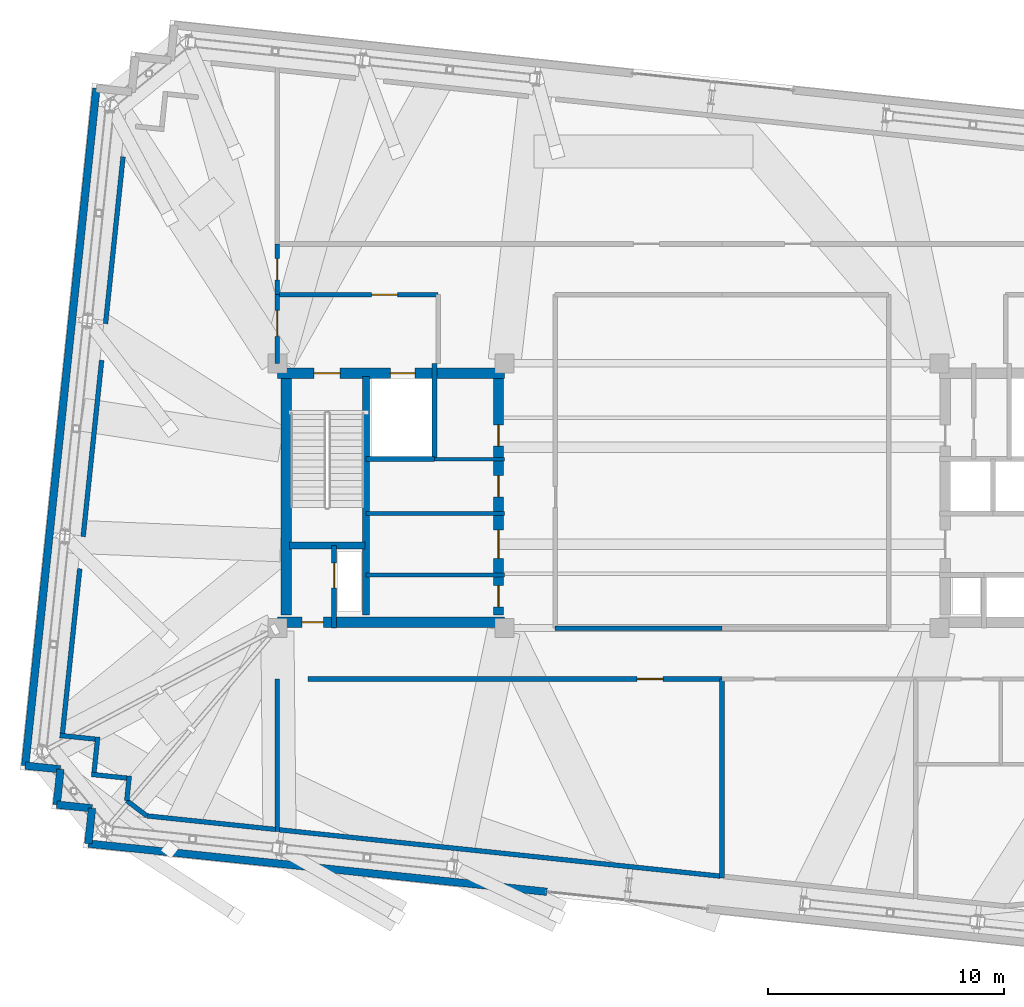
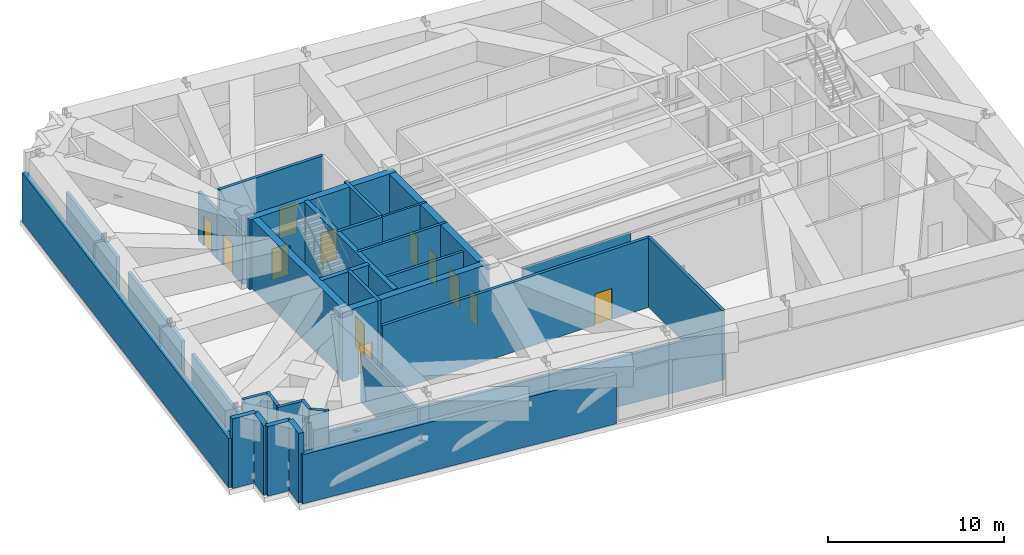
# One storey, part 16 of 21: 35 walls, 12 doors, 12 openings.
"""IFC4 building model written with IfcOpenShell, lengths in metres."""

from ifc_helpers import new_model, si_unit, direction, frame, frame_2d, origin, place, context, subcontext, project, spatial, rectangle, extrude, material, layer, layer_set, type_object, element, fill, save


model = new_model("IFC4")

# Units and contexts
model_context = context("Model", 3, precision=1e-05, world=origin(), true_north=direction((0.0, 1.0)))
body_context = subcontext(model_context, "Body", "Model", "MODEL_VIEW")
ifc_project = project(units=[si_unit("LENGTHUNIT", "METRE"), si_unit("AREAUNIT", "SQUARE_METRE"), si_unit("VOLUMEUNIT", "CUBIC_METRE"), si_unit("PLANEANGLEUNIT", "RADIAN"), si_unit("MASSUNIT", "GRAM", prefix="KILO")], contexts=[model_context])

# Site, building, storey
site_placement = place(None, origin())
site = spatial("IfcSite", under=ifc_project, at=site_placement, CompositionType="ELEMENT")
building_placement = place(site_placement, origin())
building = spatial("IfcBuilding", under=site, at=building_placement, Name="Qobustan Lattice House", CompositionType="ELEMENT")
storey_placement = place(building_placement, frame((0.0, 0.0, 223.199951171875)))
storey = spatial("IfcBuildingStorey", under=building, at=storey_placement, Name="L63", CompositionType="ELEMENT", Elevation=223.199951171875)

# Wall, openings, doors
ifc_material_1 = material(Name="Concrete C50/60", Category="concrete")
ifc_layer_1 = layer(ifc_material_1, 0.43994140625)
ifc_layer_set_1 = layer_set([ifc_layer_1], Name="Concrete C50/60")
wall_type_1 = type_object("IfcWallType", Name="WAL-CORE-440", PredefinedType="SHEAR", material=ifc_layer_set_1)
wall_1_placement = place(storey_placement, frame((-18.800048828125, 5.179931640625, 0.0), z_axis=(0.0, 0.0, 1.0), x_axis=(1.0, 0.0, 0.0)))
wall_1 = element("IfcWall", 1, at=wall_1_placement, inside=storey, type_object=wall_type_1, Name="L63 split-core shear wall CW-N", PredefinedType="SHEAR", context=body_context, shape_type="SweptSolid", body=[
    extrude(rectangle(XDim=9.60009765625, YDim=0.43994140625, at=frame_2d((4.800048828125, 0.0))), origin(), (0.0, 0.0, 1.0), 4.820068359375),
])
opening_1_placement = place(wall_1_placement, frame((1.550048828125, 0.0, 0.0)))
opening_1 = element("IfcOpeningElement", 2, at=opening_1_placement, cuts=wall_1, Name="Opening SD-01", PredefinedType="OPENING", context=body_context, shape_type="SweptSolid", body=[
    extrude(rectangle(XDim=1.10009765625, YDim=2.14990234375, at=frame_2d((0.550048828125, 1.074951171875))), frame((0.0, 0.22998046875, 0.0), z_axis=(0.0, -1.0, 0.0), x_axis=(1.0, 0.0, 0.0)), (0.0, 0.0, 1.0), 0.4599609375),
])
opening_2_placement = place(wall_1_placement, frame((4.77490234375, 0.0, 0.0)))
opening_2 = element("IfcOpeningElement", 3, at=opening_2_placement, cuts=wall_1, Name="Opening LD-01", PredefinedType="OPENING", context=body_context, shape_type="SweptSolid", body=[
    extrude(rectangle(XDim=1.050048828125, YDim=2.10009765625, at=frame_2d((0.52490234375, 1.050048828125))), frame((0.0, 0.22998046875, 0.0), z_axis=(0.0, -1.0, 0.0), x_axis=(1.0, 0.0, 0.0)), (0.0, 0.0, 1.0), 0.4599609375),
])
ifc_material_2 = material(Name="Persian walnut timber and steel frame door", Category="steel")
door_type_1 = type_object("IfcDoorType", Name="DOR-LIFT-LD-1050x2100", OperationType="NOTDEFINED", PredefinedType="DOOR", material=ifc_material_2)
door_1_placement = place(opening_2_placement, origin())
door_1 = element("IfcDoor", 4, at=door_1_placement, inside=storey, type_object=door_type_1, Name="L63 firefighting lift FF-W landing door", OperationType="DOUBLE_DOOR_SLIDING", OverallHeight=2.10009765625, OverallWidth=1.050048828125, PredefinedType="DOOR", context=body_context, shape_type="SweptSolid", body=[
    extrude(rectangle(XDim=1.050048828125, YDim=2.10009765625, at=frame_2d((0.52490234375, 1.050048828125))), frame((0.0, 0.02490234375, 0.0), z_axis=(0.0, -1.0, 0.0), x_axis=(1.0, 0.0, 0.0)), (0.0, 0.0, 1.0), 0.050048828125),
])
fill(opening_2, door_1)
ifc_material_3 = material(Name="Persian walnut timber and steel frame door", Category="steel")
door_type_2 = type_object("IfcDoorType", Name="DOR-STAIR-FD-1100x2150", OperationType="NOTDEFINED", PredefinedType="DOOR", material=ifc_material_3)
door_2_placement = place(opening_1_placement, origin())
door_2 = element("IfcDoor", 5, at=door_2_placement, inside=storey, type_object=door_type_2, Name="L63 exit stair ST-W1 fire door", OperationType="SINGLE_SWING_LEFT", OverallHeight=2.14990234375, OverallWidth=1.10009765625, PredefinedType="DOOR", context=body_context, shape_type="SweptSolid", body=[
    extrude(rectangle(XDim=1.10009765625, YDim=2.14990234375, at=frame_2d((0.550048828125, 1.074951171875))), frame((0.0, 0.02490234375, 0.0), z_axis=(0.0, -1.0, 0.0), x_axis=(1.0, 0.0, 0.0)), (0.0, 0.0, 1.0), 0.050048828125),
])
fill(opening_1, door_2)

# Wall, opening, door
wall_2_placement = place(storey_placement, frame((-18.800048828125, -5.35009765625, 0.0), z_axis=(0.0, 0.0, 1.0), x_axis=(1.0, 0.0, 0.0)))
wall_2 = element("IfcWall", 6, at=wall_2_placement, inside=storey, type_object=wall_type_1, Name="L63 split-core shear wall CW-S", PredefinedType="SHEAR", context=body_context, shape_type="SweptSolid", body=[
    extrude(rectangle(XDim=9.60009765625, YDim=0.43994140625, at=frame_2d((4.800048828125, 0.0))), origin(), (0.0, 0.0, 1.0), 4.820068359375),
])
opening_3_placement = place(wall_2_placement, frame((1.050048828125, 0.0, 0.0)))
opening_3 = element("IfcOpeningElement", 7, at=opening_3_placement, cuts=wall_2, Name="Opening RD-01", PredefinedType="OPENING", context=body_context, shape_type="SweptSolid", body=[
    extrude(rectangle(XDim=0.89990234375, YDim=2.10009765625, at=frame_2d((0.449951171875, 1.050048828125))), frame((0.0, 0.22998046875, 0.0), z_axis=(0.0, -1.0, 0.0), x_axis=(1.0, 0.0, 0.0)), (0.0, 0.0, 1.0), 0.4599609375),
])
ifc_material_4 = material(Name="Persian walnut timber and steel frame door", Category="steel")
door_type_3 = type_object("IfcDoorType", Name="DOR-RISER-FD-900x2100", OperationType="NOTDEFINED", PredefinedType="DOOR", material=ifc_material_4)
door_3_placement = place(opening_3_placement, origin())
door_3 = element("IfcDoor", 8, at=door_3_placement, inside=storey, type_object=door_type_3, Name="L63 core service riser access door W", OperationType="SINGLE_SWING_LEFT", OverallHeight=2.10009765625, OverallWidth=0.89990234375, PredefinedType="DOOR", context=body_context, shape_type="SweptSolid", body=[
    extrude(rectangle(XDim=0.89990234375, YDim=2.10009765625, at=frame_2d((0.449951171875, 1.050048828125))), frame((0.0, 0.02490234375, 0.0), z_axis=(0.0, -1.0, 0.0), x_axis=(1.0, 0.0, 0.0)), (0.0, 0.0, 1.0), 0.050048828125),
])
fill(opening_3, door_3)

# Wall
wall_3_placement = place(storey_placement, frame((-18.429931640625, -5.050048828125, 0.0), z_axis=(0.0, 0.0, 1.0), x_axis=(0.0, 1.0, 0.0)))
element("IfcWall", 9, at=wall_3_placement, inside=storey, type_object=wall_type_1, Name="L63 split-core shear wall CW-W", PredefinedType="SHEAR", context=body_context, shape_type="SweptSolid", body=[
    extrude(rectangle(XDim=10.10009765625, YDim=0.43994140625, at=frame_2d((5.050048828125, 0.0))), origin(), (0.0, 0.0, 1.0), 4.820068359375),
])

# Wall, openings, doors
wall_4_placement = place(storey_placement, frame((-9.449951171875, -5.050048828125, 0.0), z_axis=(0.0, 0.0, 1.0), x_axis=(0.0, 1.0, 0.0)))
wall_4 = element("IfcWall", 10, at=wall_4_placement, inside=storey, type_object=wall_type_1, Name="L63 split-core shear wall CW-E", PredefinedType="SHEAR", context=body_context, shape_type="SweptSolid", body=[
    extrude(rectangle(XDim=10.10009765625, YDim=0.43994140625, at=frame_2d((5.050048828125, 0.0))), origin(), (0.0, 0.0, 1.0), 4.820068359375),
])
opening_4_placement = place(wall_4_placement, frame((7.14990234375, 0.0, 0.0)))
opening_4 = element("IfcOpeningElement", 11, at=opening_4_placement, cuts=wall_4, Name="Opening RD-01", PredefinedType="OPENING", context=body_context, shape_type="SweptSolid", body=[
    extrude(rectangle(XDim=0.89990234375, YDim=2.10009765625, at=frame_2d((0.449951171875, 1.050048828125))), frame((0.0, 0.22998046875, 0.0), z_axis=(0.0, -1.0, 0.0), x_axis=(1.0, 0.0, 0.0)), (0.0, 0.0, 1.0), 0.4599609375),
])
opening_5_placement = place(wall_4_placement, frame((2.39990234375, 0.0, 0.0)))
opening_5 = element("IfcOpeningElement", 12, at=opening_5_placement, cuts=wall_4, Name="Opening FD-01", PredefinedType="OPENING", context=body_context, shape_type="SweptSolid", body=[
    extrude(rectangle(XDim=1.199951171875, YDim=2.14990234375, at=frame_2d((0.60009765625, 1.074951171875))), frame((0.0, 0.22998046875, 0.0), z_axis=(0.0, -1.0, 0.0), x_axis=(1.0, 0.0, 0.0)), (0.0, 0.0, 1.0), 0.4599609375),
])
opening_6_placement = place(wall_4_placement, frame((0.35009765625, 0.0, 0.0)))
opening_6 = element("IfcOpeningElement", 13, at=opening_6_placement, cuts=wall_4, Name="Opening RD-01", PredefinedType="OPENING", context=body_context, shape_type="SweptSolid", body=[
    extrude(rectangle(XDim=0.89990234375, YDim=2.10009765625, at=frame_2d((0.449951171875, 1.050048828125))), frame((0.0, 0.22998046875, 0.0), z_axis=(0.0, -1.0, 0.0), x_axis=(1.0, 0.0, 0.0)), (0.0, 0.0, 1.0), 0.4599609375),
])
opening_7_placement = place(wall_4_placement, frame((5.0, 0.0, 0.0)))
opening_7 = element("IfcOpeningElement", 14, at=opening_7_placement, cuts=wall_4, Name="Opening RD-01", PredefinedType="OPENING", context=body_context, shape_type="SweptSolid", body=[
    extrude(rectangle(XDim=0.89990234375, YDim=2.10009765625, at=frame_2d((0.449951171875, 1.050048828125))), frame((0.0, 0.22998046875, 0.0), z_axis=(0.0, -1.0, 0.0), x_axis=(1.0, 0.0, 0.0)), (0.0, 0.0, 1.0), 0.4599609375),
])
ifc_material_5 = material(Name="Persian walnut timber and steel frame door", Category="steel")
door_type_4 = type_object("IfcDoorType", Name="DOR-LOBBY-FD-1200x2150", OperationType="NOTDEFINED", PredefinedType="DOOR", material=ifc_material_5)
door_4_placement = place(opening_5_placement, origin())
door_4 = element("IfcDoor", 15, at=door_4_placement, inside=storey, type_object=door_type_4, Name="L63 West core foyer fire door", OperationType="SINGLE_SWING_RIGHT", OverallHeight=2.14990234375, OverallWidth=1.199951171875, PredefinedType="DOOR", context=body_context, shape_type="SweptSolid", body=[
    extrude(rectangle(XDim=1.199951171875, YDim=2.14990234375, at=frame_2d((0.60009765625, 1.074951171875))), frame((0.0, 0.02490234375, 0.0), z_axis=(0.0, -1.0, 0.0), x_axis=(1.0, 0.0, 0.0)), (0.0, 0.0, 1.0), 0.050048828125),
])
fill(opening_5, door_4)
door_5_placement = place(opening_4_placement, origin())
door_5 = element("IfcDoor", 16, at=door_5_placement, inside=storey, type_object=door_type_3, Name="L63 Floor tea pantry fire door", OperationType="SINGLE_SWING_LEFT", OverallHeight=2.10009765625, OverallWidth=0.89990234375, PredefinedType="DOOR", context=body_context, shape_type="SweptSolid", body=[
    extrude(rectangle(XDim=0.89990234375, YDim=2.10009765625, at=frame_2d((0.449951171875, 1.050048828125))), frame((0.0, 0.02490234375, 0.0), z_axis=(0.0, -1.0, 0.0), x_axis=(1.0, 0.0, 0.0)), (0.0, 0.0, 1.0), 0.050048828125),
])
fill(opening_4, door_5)
door_6_placement = place(opening_6_placement, origin())
door_6 = element("IfcDoor", 17, at=door_6_placement, inside=storey, type_object=door_type_3, Name="L63 Tutorial seminar salon fire door", OperationType="SINGLE_SWING_LEFT", OverallHeight=2.10009765625, OverallWidth=0.89990234375, PredefinedType="DOOR", context=body_context, shape_type="SweptSolid", body=[
    extrude(rectangle(XDim=0.89990234375, YDim=2.10009765625, at=frame_2d((0.449951171875, 1.050048828125))), frame((0.0, 0.02490234375, 0.0), z_axis=(0.0, -1.0, 0.0), x_axis=(1.0, 0.0, 0.0)), (0.0, 0.0, 1.0), 0.050048828125),
])
fill(opening_6, door_6)
door_7_placement = place(opening_7_placement, origin())
door_7 = element("IfcDoor", 18, at=door_7_placement, inside=storey, type_object=door_type_3, Name="L63 Copy and tea hub fire door", OperationType="SINGLE_SWING_RIGHT", OverallHeight=2.10009765625, OverallWidth=0.89990234375, PredefinedType="DOOR", context=body_context, shape_type="SweptSolid", body=[
    extrude(rectangle(XDim=0.89990234375, YDim=2.10009765625, at=frame_2d((0.449951171875, 1.050048828125))), frame((0.0, 0.02490234375, 0.0), z_axis=(0.0, -1.0, 0.0), x_axis=(1.0, 0.0, 0.0)), (0.0, 0.0, 1.0), 0.050048828125),
])
fill(opening_7, door_7)

# Walls
ifc_material_6 = material(Name="Concrete C50/60", Category="concrete")
ifc_layer_2 = layer(ifc_material_6, 0.280029296875)
ifc_layer_set_2 = layer_set([ifc_layer_2], Name="Concrete C50/60")
wall_type_2 = type_object("IfcWallType", Name="WAL-CORE-SPINE-280", PredefinedType="SHEAR", material=ifc_layer_set_2)
wall_5_placement = place(storey_placement, frame((-15.050048828125, -5.050048828125, 0.0), z_axis=(0.0, 0.0, 1.0), x_axis=(0.0, 1.0, 0.0)))
element("IfcWall", 19, at=wall_5_placement, inside=storey, type_object=wall_type_2, Name="L63 split-core shear wall CW-M", PredefinedType="SHEAR", context=body_context, shape_type="SweptSolid", body=[
    extrude(rectangle(XDim=10.10009765625, YDim=0.300048828125, at=frame_2d((5.050048828125, 0.0))), origin(), (0.0, 0.0, 1.0), 4.820068359375),
])
wall_6_placement = place(storey_placement, frame((-18.280029296875, -2.110107421875, 0.0), z_axis=(0.0, 0.0, 1.0), x_axis=(1.0, 0.0, 0.0)))
element("IfcWall", 20, at=wall_6_placement, inside=storey, type_object=wall_type_2, Name="L63 split-core shear wall CW-ST", PredefinedType="SHEAR", context=body_context, shape_type="SweptSolid", body=[
    extrude(rectangle(XDim=3.179931640625, YDim=0.300048828125, at=frame_2d((1.58984375, 0.0))), origin(), (0.0, 0.0, 1.0), 4.820068359375),
])
ifc_material_7 = material(Name="Precast concrete C40/50", Category="concrete")
ifc_layer_3 = layer(ifc_material_7, 0.320068359375)
ifc_layer_set_3 = layer_set([ifc_layer_3], Name="Precast concrete C40/50")
wall_type_3 = type_object("IfcWallType", Name="WAL-EXT-STONE-320", PredefinedType="SOLIDWALL", material=ifc_layer_set_3)
for number, where, z_axis, x_axis, name in (
    (21, (-26.79345703125, -14.7109375, 0.0), (0.0, 0.0, 1.0), (0.104498377516, 0.994525057048, 0.0), "L63 exterior limestone-clad wall 1"),
    (22, (-26.63671875, -13.21923828125, 0.0), (0.0, 0.0, 1.0), (-0.994525057048, 0.104498377516, 0.0), "L63 exterior limestone-clad wall 2"),
):
    element("IfcWall", number, at=place(storey_placement, frame(where, z_axis=z_axis, x_axis=x_axis)), inside=storey, type_object=wall_type_3, Name=name, PredefinedType="SOLIDWALL", context=body_context, shape_type="SweptSolid", body=[
        extrude(rectangle(XDim=1.5, YDim=0.320068359375, at=frame_2d((0.75, 0.0))), origin(), (0.0, 0.0, 1.0), 4.820068359375),
    ])
wall_7_placement = place(storey_placement, frame((-28.12841796875, -13.0625, 0.0), z_axis=(0.0, 0.0, 1.0), x_axis=(0.104481464157, 0.994526834051, 0.0)))
element("IfcWall", 23, at=wall_7_placement, inside=storey, type_object=wall_type_3, Name="L63 exterior limestone-clad wall 3", PredefinedType="SOLIDWALL", context=body_context, shape_type="SweptSolid", body=[
    extrude(rectangle(XDim=1.500244140625, YDim=0.320068359375, at=frame_2d((0.75, 0.0))), origin(), (0.0, 0.0, 1.0), 4.820068359375),
])
wall_8_placement = place(storey_placement, frame((-27.9716796875, -11.570556640625, 0.0), z_axis=(0.0, 0.0, 1.0), x_axis=(-0.994525057048, 0.104498377516, 0.0)))
element("IfcWall", 24, at=wall_8_placement, inside=storey, type_object=wall_type_3, Name="L63 exterior limestone-clad wall 4", PredefinedType="SOLIDWALL", context=body_context, shape_type="SweptSolid", body=[
    extrude(rectangle(XDim=1.5, YDim=0.320068359375, at=frame_2d((0.75, 0.0))), origin(), (0.0, 0.0, 1.0), 4.820068359375),
])
wall_9_placement = place(storey_placement, frame((-29.46337890625, -11.413818359375, 0.0), z_axis=(0.0, 0.0, 1.0), x_axis=(0.104530779244, 0.994521651947, 0.0)))
element("IfcWall", 25, at=wall_9_placement, inside=storey, type_object=wall_type_3, Name="L63 exterior limestone-clad wall 5", PredefinedType="SOLIDWALL", context=body_context, shape_type="SweptSolid", body=[
    extrude(rectangle(XDim=28.800048828125, YDim=0.320068359375, at=frame_2d((14.39990234375, 0.0))), origin(), (0.0, 0.0, 1.0), 3.405029296875),
])
wall_10_placement = place(storey_placement, frame((-7.400146484375, -16.749267578125, 0.0), z_axis=(0.0, 0.0, 1.0), x_axis=(-0.994521836706, 0.104529021397, 0.0)))
element("IfcWall", 26, at=wall_10_placement, inside=storey, type_object=wall_type_3, Name="L63 exterior stone wall 20B", PredefinedType="SOLIDWALL", context=body_context, shape_type="SweptSolid", body=[
    extrude(rectangle(XDim=19.500244140625, YDim=0.320068359375, at=frame_2d((9.75, 0.0))), origin(), (0.0, 0.0, 1.0), 3.405029296875),
])
ifc_material_8 = material(Name="Gypsum fireboard acoustic partition", Category="gypsum")
ifc_layer_4 = layer(ifc_material_8, 0.179931640625)
ifc_layer_set_4 = layer_set([ifc_layer_4], Name="Gypsum fireboard acoustic partition")
wall_type_4 = type_object("IfcWallType", Name="WAL-FIRE-180", PredefinedType="PARTITIONING", material=ifc_layer_set_4)
wall_11_placement = place(storey_placement, frame((-15.050048828125, -3.35009765625, 0.0), z_axis=(0.0, 0.0, 1.0), x_axis=(1.0, 0.0, 0.0)))
element("IfcWall", 27, at=wall_11_placement, inside=storey, type_object=wall_type_4, Name="L63 interior partition 8", PredefinedType="PARTITIONING", context=body_context, shape_type="SweptSolid", body=[
    extrude(rectangle(XDim=5.85009765625, YDim=0.179931640625, at=frame_2d((2.925048828125, 0.0))), origin(), (0.0, 0.0, 1.0), 4.53515625),
])
wall_12_placement = place(storey_placement, frame((-9.199951171875, -0.75, 0.0), z_axis=(0.0, 0.0, 1.0), x_axis=(-1.0, 0.0, 0.0)))
element("IfcWall", 28, at=wall_12_placement, inside=storey, type_object=wall_type_4, Name="L63 interior partition 9", PredefinedType="PARTITIONING", context=body_context, shape_type="SweptSolid", body=[
    extrude(rectangle(XDim=5.85009765625, YDim=0.179931640625, at=frame_2d((2.925048828125, 0.0))), origin(), (0.0, 0.0, 1.0), 4.820068359375),
])
wall_13_placement = place(storey_placement, frame((-7.050048828125, -5.60009765625, 0.0), z_axis=(0.0, 0.0, 1.0), x_axis=(1.0, 0.0, 0.0)))
element("IfcWall", 29, at=wall_13_placement, inside=storey, type_object=wall_type_4, Name="L63 interior partition 38", PredefinedType="PARTITIONING", context=body_context, shape_type="SweptSolid", body=[
    extrude(rectangle(XDim=7.050048828125, YDim=0.179931640625, at=frame_2d((3.52490234375, 0.0))), origin(), (0.0, 0.0, 1.0), 3.797119140625),
])
ifc_material_9 = material(Name="Acoustic twin-stud gypsum partition", Category="gypsum")
ifc_layer_5 = layer(ifc_material_9, 0.14990234375)
ifc_layer_set_5 = layer_set([ifc_layer_5], Name="Acoustic twin-stud gypsum partition")
wall_type_5 = type_object("IfcWallType", Name="WAL-PART-150", PredefinedType="PARTITIONING", material=ifc_layer_set_5)
wall_14_placement = place(storey_placement, frame((-12.14990234375, 1.550048828125, 0.0), z_axis=(0.0, 0.0, 1.0), x_axis=(1.0, 0.0, 0.0)))
element("IfcWall", 30, at=wall_14_placement, inside=storey, type_object=wall_type_5, Name="L63 interior partition 6", PredefinedType="PARTITIONING", context=body_context, shape_type="SweptSolid", body=[
    extrude(rectangle(XDim=2.949951171875, YDim=0.14990234375, at=frame_2d((1.47509765625, 0.0))), origin(), (0.0, 0.0, 1.0), 4.820068359375),
])
ifc_material_10 = material(Name="Two-hour gypsum fireboard acoustic partition", Category="gypsum")
ifc_layer_6 = layer(ifc_material_10, 0.199951171875)
ifc_layer_set_6 = layer_set([ifc_layer_6], Name="Two-hour gypsum fireboard acoustic partition")
wall_type_6 = type_object("IfcWallType", Name="WAL-PROT-200", PredefinedType="PARTITIONING", material=ifc_layer_set_6)
wall_15_placement = place(storey_placement, frame((-0.074951171875, -16.08642578125, 0.0), z_axis=(0.0, 0.0, 1.0), x_axis=(-0.994521919237, 0.104528236174, 0.0)))
element("IfcWall", 31, at=wall_15_placement, inside=storey, type_object=wall_type_6, Name="L63 perimeter belt-truss plenum enclosure wall 1", PredefinedType="PARTITIONING", context=body_context, shape_type="SweptSolid", body=[
    extrude(rectangle(XDim=18.7529296875, YDim=0.199951171875, at=frame_2d((9.37646484375, 0.0))), origin(), (0.0, 0.0, 1.0), 3.405029296875),
])
wall_16_placement = place(storey_placement, frame((-26.06591796875, 7.276611328125, 0.0), z_axis=(0.0, 0.0, 1.0), x_axis=(0.104530749656, 0.994521655057, 0.0)))
element("IfcWall", 32, at=wall_16_placement, inside=storey, type_object=wall_type_6, Name="L63 perimeter belt-truss plenum enclosure wall 2", PredefinedType="PARTITIONING", context=body_context, shape_type="SweptSolid", body=[
    extrude(rectangle(XDim=7.095458984375, YDim=0.199951171875, at=frame_2d((3.5478515625, 0.0))), origin(), (0.0, 0.0, 1.0), 3.405029296875),
])
wall_17_placement = place(storey_placement, frame((-18.875, -14.1103515625, 0.0), z_axis=(0.0, 0.0, 1.0), x_axis=(-0.994522056018, 0.104526934773, 0.0)))
element("IfcWall", 33, at=wall_17_placement, inside=storey, type_object=wall_type_6, Name="L63 perimeter belt-truss plenum enclosure wall 7", PredefinedType="PARTITIONING", context=body_context, shape_type="SweptSolid", body=[
    extrude(rectangle(XDim=5.474853515625, YDim=0.199951171875, at=frame_2d((2.7373046875, 0.0))), origin(), (0.0, 0.0, 1.0), 3.405029296875),
])
wall_18_placement = place(storey_placement, frame((-24.31982421875, -13.5380859375, 0.0), z_axis=(0.0, 0.0, 1.0), x_axis=(-0.795394980727, 0.606091432569, 0.0)))
element("IfcWall", 34, at=wall_18_placement, inside=storey, type_object=wall_type_6, Name="L63 perimeter belt-truss plenum enclosure wall 8", PredefinedType="PARTITIONING", context=body_context, shape_type="SweptSolid", body=[
    extrude(rectangle(XDim=1.06787109375, YDim=0.199951171875, at=frame_2d((0.533935546875, 0.0))), origin(), (0.0, 0.0, 1.0), 4.820068359375),
])
wall_19_placement = place(storey_placement, frame((-25.169189453125, -12.890869140625, 0.0), z_axis=(0.0, 0.0, 1.0), x_axis=(0.104660462706, 0.994508012811, 0.0)))
element("IfcWall", 35, at=wall_19_placement, inside=storey, type_object=wall_type_6, Name="L63 perimeter belt-truss plenum enclosure wall 9", PredefinedType="PARTITIONING", context=body_context, shape_type="SweptSolid", body=[
    extrude(rectangle(XDim=1.045166015625, YDim=0.199951171875, at=frame_2d((0.5224609375, 0.0))), origin(), (0.0, 0.0, 1.0), 4.820068359375),
])
wall_20_placement = place(storey_placement, frame((-25.157958984375, -11.94189453125, 0.0), z_axis=(0.0, 0.0, 1.0), x_axis=(-0.99450899205, 0.104651157332, 0.0)))
element("IfcWall", 36, at=wall_20_placement, inside=storey, type_object=wall_type_6, Name="L63 perimeter belt-truss plenum enclosure wall 10", PredefinedType="PARTITIONING", context=body_context, shape_type="SweptSolid", body=[
    extrude(rectangle(XDim=1.51171875, YDim=0.199951171875, at=frame_2d((0.755859375, 0.0))), origin(), (0.0, 0.0, 1.0), 4.820068359375),
])
wall_21_placement = place(storey_placement, frame((-26.552734375, -11.706787109375, 0.0), z_axis=(0.0, 0.0, 1.0), x_axis=(0.104138475775, 0.9945628074, 0.0)))
element("IfcWall", 37, at=wall_21_placement, inside=storey, type_object=wall_type_6, Name="L63 perimeter belt-truss plenum enclosure wall 11", PredefinedType="PARTITIONING", context=body_context, shape_type="SweptSolid", body=[
    extrude(rectangle(XDim=1.51220703125, YDim=0.199951171875, at=frame_2d((0.756103515625, 0.0))), origin(), (0.0, 0.0, 1.0), 4.820068359375),
])
wall_22_placement = place(storey_placement, frame((-26.4931640625, -10.293212890625, 0.0), z_axis=(0.0, 0.0, 1.0), x_axis=(-0.99450899205, 0.104651157332, 0.0)))
element("IfcWall", 38, at=wall_22_placement, inside=storey, type_object=wall_type_6, Name="L63 perimeter belt-truss plenum enclosure wall 12", PredefinedType="PARTITIONING", context=body_context, shape_type="SweptSolid", body=[
    extrude(rectangle(XDim=1.51171875, YDim=0.199951171875, at=frame_2d((0.755859375, 0.0))), origin(), (0.0, 0.0, 1.0), 4.820068359375),
])
wall_23_placement = place(storey_placement, frame((-27.887939453125, -10.05810546875, 0.0), z_axis=(0.0, 0.0, 1.0), x_axis=(0.104512561658, 0.994523566566, 0.0)))
element("IfcWall", 39, at=wall_23_placement, inside=storey, type_object=wall_type_6, Name="L63 perimeter belt-truss plenum enclosure wall 13", PredefinedType="PARTITIONING", context=body_context, shape_type="SweptSolid", body=[
    extrude(rectangle(XDim=7.01025390625, YDim=0.199951171875, at=frame_2d((3.505126953125, 0.0))), origin(), (0.0, 0.0, 1.0), 3.405029296875),
])
wall_24_placement = place(storey_placement, frame((-27.0126953125, -1.73046875, 0.0), z_axis=(0.0, 0.0, 1.0), x_axis=(0.104517040676, 0.994523095865, 0.0)))
element("IfcWall", 40, at=wall_24_placement, inside=storey, type_object=wall_type_6, Name="L63 perimeter belt-truss plenum enclosure wall 14", PredefinedType="PARTITIONING", context=body_context, shape_type="SweptSolid", body=[
    extrude(rectangle(XDim=7.50048828125, YDim=0.199951171875, at=frame_2d((3.750244140625, 0.0))), origin(), (0.0, 0.0, 1.0), 3.405029296875),
])

# Wall, opening, door
wall_25_placement = place(storey_placement, frame((-12.0, 8.5, 0.0), z_axis=(0.0, 0.0, 1.0), x_axis=(-1.0, 0.0, 0.0)))
wall_25 = element("IfcWall", 41, at=wall_25_placement, inside=storey, type_object=wall_type_6, Name="L63 interior partition 3", PredefinedType="PARTITIONING", context=body_context, shape_type="SweptSolid", body=[
    extrude(rectangle(XDim=6.800048828125, YDim=0.199951171875, at=frame_2d((3.39990234375, 0.0))), origin(), (0.0, 0.0, 1.0), 4.820068359375),
])
opening_8_placement = place(wall_25_placement, frame((1.715087890625, 0.0, 0.0)))
opening_8 = element("IfcOpeningElement", 42, at=opening_8_placement, cuts=wall_25, Name="Opening SD-01", PredefinedType="OPENING", context=body_context, shape_type="SweptSolid", body=[
    extrude(rectangle(XDim=1.10009765625, YDim=2.14990234375, at=frame_2d((0.550048828125, 1.074951171875))), frame((0.0, 0.10986328125, 0.0), z_axis=(0.0, -1.0, 0.0), x_axis=(1.0, 0.0, 0.0)), (0.0, 0.0, 1.0), 0.219970703125),
])
door_8_placement = place(opening_8_placement, origin())
door_8 = element("IfcDoor", 43, at=door_8_placement, inside=storey, type_object=door_type_2, Name="L63 West firefighting lift lobby to North-west mechanical plant corridor door", OperationType="SINGLE_SWING_LEFT", OverallHeight=2.14990234375, OverallWidth=1.10009765625, PredefinedType="DOOR", context=body_context, shape_type="SweptSolid", body=[
    extrude(rectangle(XDim=1.10009765625, YDim=2.14990234375, at=frame_2d((0.550048828125, 1.074951171875))), frame((0.0, 0.02490234375, 0.0), z_axis=(0.0, -1.0, 0.0), x_axis=(1.0, 0.0, 0.0)), (0.0, 0.0, 1.0), 0.050048828125),
])
fill(opening_8, door_8)

wall_26_placement = place(storey_placement, frame((-18.800048828125, 8.5, 0.0), z_axis=(0.0, 0.0, 1.0), x_axis=(0.0, -1.0, 0.0)))
wall_26 = element("IfcWall", 44, at=wall_26_placement, inside=storey, type_object=wall_type_6, Name="L63 interior partition 5", PredefinedType="PARTITIONING", context=body_context, shape_type="SweptSolid", body=[
    extrude(rectangle(XDim=2.89990234375, YDim=0.199951171875, at=frame_2d((1.449951171875, 0.0))), origin(), (0.0, 0.0, 1.0), 3.405029296875),
])
opening_9_placement = place(wall_26_placement, frame((0.659912109375, 0.0, 0.0)))
opening_9 = element("IfcOpeningElement", 45, at=opening_9_placement, cuts=wall_26, Name="Opening SD-01", PredefinedType="OPENING", context=body_context, shape_type="SweptSolid", body=[
    extrude(rectangle(XDim=1.10009765625, YDim=2.14990234375, at=frame_2d((0.550048828125, 1.074951171875))), frame((0.0, 0.10986328125, 0.0), z_axis=(0.0, -1.0, 0.0), x_axis=(1.0, 0.0, 0.0)), (0.0, 0.0, 1.0), 0.219970703125),
])
door_9_placement = place(opening_9_placement, origin())
door_9 = element("IfcDoor", 46, at=door_9_placement, inside=storey, type_object=door_type_2, Name="L63 West firefighting lift lobby to West protected refuge area door", OperationType="SINGLE_SWING_RIGHT", OverallHeight=2.14990234375, OverallWidth=1.10009765625, PredefinedType="DOOR", context=body_context, shape_type="SweptSolid", body=[
    extrude(rectangle(XDim=1.10009765625, YDim=2.14990234375, at=frame_2d((0.550048828125, 1.074951171875))), frame((0.0, 0.02490234375, 0.0), z_axis=(0.0, -1.0, 0.0), x_axis=(1.0, 0.0, 0.0)), (0.0, 0.0, 1.0), 0.050048828125),
])
fill(opening_9, door_9)

wall_27_placement = place(storey_placement, frame((-18.800048828125, 8.5, 0.0), z_axis=(0.0, 0.0, 1.0), x_axis=(0.0, 1.0, 0.0)))
wall_27 = element("IfcWall", 47, at=wall_27_placement, inside=storey, type_object=wall_type_6, Name="L63 interior partition 31", PredefinedType="PARTITIONING", context=body_context, shape_type="SweptSolid", body=[
    extrude(rectangle(XDim=2.14990234375, YDim=0.199951171875, at=frame_2d((1.074951171875, 0.0))), origin(), (0.0, 0.0, 1.0), 3.405029296875),
])
opening_10_placement = place(wall_27_placement, frame((0.625, 0.0, 0.0)))
opening_10 = element("IfcOpeningElement", 48, at=opening_10_placement, cuts=wall_27, Name="Opening RD-01", PredefinedType="OPENING", context=body_context, shape_type="SweptSolid", body=[
    extrude(rectangle(XDim=0.89990234375, YDim=2.10009765625, at=frame_2d((0.449951171875, 1.050048828125))), frame((0.0, 0.10986328125, 0.0), z_axis=(0.0, -1.0, 0.0), x_axis=(1.0, 0.0, 0.0)), (0.0, 0.0, 1.0), 0.219970703125),
])
door_10_placement = place(opening_10_placement, origin())
door_10 = element("IfcDoor", 49, at=door_10_placement, inside=storey, type_object=door_type_3, Name="L63 North-west mechanical plant corridor to West protected refuge area door", OperationType="SINGLE_SWING_RIGHT", OverallHeight=2.10009765625, OverallWidth=0.89990234375, PredefinedType="DOOR", context=body_context, shape_type="SweptSolid", body=[
    extrude(rectangle(XDim=0.89990234375, YDim=2.10009765625, at=frame_2d((0.449951171875, 1.050048828125))), frame((0.0, 0.02490234375, 0.0), z_axis=(0.0, -1.0, 0.0), x_axis=(1.0, 0.0, 0.0)), (0.0, 0.0, 1.0), 0.050048828125),
])
fill(opening_10, door_10)

wall_28_placement = place(storey_placement, frame((0.0, -7.75, 0.0), z_axis=(0.0, 0.0, 1.0), x_axis=(-1.0, 0.0, 0.0)))
wall_28 = element("IfcWall", 50, at=wall_28_placement, inside=storey, type_object=wall_type_6, Name="L63 interior partition 37", PredefinedType="PARTITIONING", context=body_context, shape_type="SweptSolid", body=[
    extrude(rectangle(XDim=17.5, YDim=0.199951171875, at=frame_2d((8.75, 0.0))), origin(), (0.0, 0.0, 1.0), 4.820068359375),
])
opening_11_placement = place(wall_28_placement, frame((2.485107421875, 0.0, 0.0)))
opening_11 = element("IfcOpeningElement", 51, at=opening_11_placement, cuts=wall_28, Name="Opening SD-01", PredefinedType="OPENING", context=body_context, shape_type="SweptSolid", body=[
    extrude(rectangle(XDim=1.10009765625, YDim=2.14990234375, at=frame_2d((0.550048828125, 1.074951171875))), frame((0.0, 0.10986328125, 0.0), z_axis=(0.0, -1.0, 0.0), x_axis=(1.0, 0.0, 0.0)), (0.0, 0.0, 1.0), 0.219970703125),
])
door_11_placement = place(opening_11_placement, origin())
door_11 = element("IfcDoor", 52, at=door_11_placement, inside=storey, type_object=door_type_2, Name="L63 South-west mechanical plant corridor to South protected refuge area door", OperationType="SINGLE_SWING_RIGHT", OverallHeight=2.14990234375, OverallWidth=1.10009765625, PredefinedType="DOOR", context=body_context, shape_type="SweptSolid", body=[
    extrude(rectangle(XDim=1.10009765625, YDim=2.14990234375, at=frame_2d((0.550048828125, 1.074951171875))), frame((0.0, 0.02490234375, 0.0), z_axis=(0.0, -1.0, 0.0), x_axis=(1.0, 0.0, 0.0)), (0.0, 0.0, 1.0), 0.050048828125),
])
fill(opening_11, door_11)

# Walls
wall_29_placement = place(storey_placement, frame((-18.800048828125, -7.75, 0.0), z_axis=(0.0, 0.0, 1.0), x_axis=(0.0, -1.0, 0.0)))
element("IfcWall", 53, at=wall_29_placement, inside=storey, type_object=wall_type_6, Name="L63 interior partition 47", PredefinedType="PARTITIONING", context=body_context, shape_type="SweptSolid", body=[
    extrude(rectangle(XDim=6.443603515625, YDim=0.199951171875, at=frame_2d((3.2216796875, 0.0))), origin(), (0.0, 0.0, 1.0), 3.405029296875),
])
wall_30_placement = place(storey_placement, frame((0.0, -7.75, 0.0), z_axis=(0.0, 0.0, 1.0), x_axis=(0.0, -1.0, 0.0)))
element("IfcWall", 54, at=wall_30_placement, inside=storey, type_object=wall_type_6, Name="L63 interior partition 51", PredefinedType="PARTITIONING", context=body_context, shape_type="SweptSolid", body=[
    extrude(rectangle(XDim=8.419677734375, YDim=0.199951171875, at=frame_2d((4.2099609375, 0.0))), origin(), (0.0, 0.0, 1.0), 4.820068359375),
])

# Wall, opening, door
ifc_material_11 = material(Name="Concrete C40/50", Category="concrete")
ifc_layer_7 = layer(ifc_material_11, 0.199951171875)
ifc_layer_set_7 = layer_set([ifc_layer_7], Name="Concrete C40/50")
wall_type_7 = type_object("IfcWallType", Name="WAL-SHAFT-200", PredefinedType="PARTITIONING", material=ifc_layer_set_7)
wall_31_placement = place(storey_placement, frame((-16.39990234375, -5.60009765625, 0.0), z_axis=(0.0, 0.0, 1.0), x_axis=(0.0, 1.0, 0.0)))
wall_31 = element("IfcWall", 55, at=wall_31_placement, inside=storey, type_object=wall_type_7, Name="L63 interior partition 1", PredefinedType="PARTITIONING", context=body_context, shape_type="SweptSolid", body=[
    extrude(rectangle(XDim=3.489990234375, YDim=0.199951171875, at=frame_2d((1.7451171875, 0.0))), origin(), (0.0, 0.0, 1.0), 4.820068359375),
])
opening_12_placement = place(wall_31_placement, frame((1.699951171875, 0.0, 0.0)))
opening_12 = element("IfcOpeningElement", 56, at=opening_12_placement, cuts=wall_31, Name="Opening LD-01", PredefinedType="OPENING", context=body_context, shape_type="SweptSolid", body=[
    extrude(rectangle(XDim=1.050048828125, YDim=2.10009765625, at=frame_2d((0.52490234375, 1.050048828125))), frame((0.0, 0.10986328125, 0.0), z_axis=(0.0, -1.0, 0.0), x_axis=(1.0, 0.0, 0.0)), (0.0, 0.0, 1.0), 0.219970703125),
])
door_12_placement = place(opening_12_placement, origin())
door_12 = element("IfcDoor", 57, at=door_12_placement, inside=storey, type_object=door_type_1, Name="L63 lift landing door", OperationType="DOUBLE_DOOR_SLIDING", OverallHeight=2.10009765625, OverallWidth=1.050048828125, PredefinedType="DOOR", context=body_context, shape_type="SweptSolid", body=[
    extrude(rectangle(XDim=1.050048828125, YDim=2.10009765625, at=frame_2d((0.52490234375, 1.050048828125))), frame((0.0, 0.02490234375, 0.0), z_axis=(0.0, -1.0, 0.0), x_axis=(1.0, 0.0, 0.0)), (0.0, 0.0, 1.0), 0.050048828125),
])
fill(opening_12, door_12)

# Walls
wall_32_placement = place(storey_placement, frame((-12.14990234375, 1.550048828125, 0.0), z_axis=(0.0, 0.0, 1.0), x_axis=(0.0, 1.0, 0.0)))
element("IfcWall", 58, at=wall_32_placement, inside=storey, type_object=wall_type_7, Name="L63 interior partition 2", PredefinedType="PARTITIONING", context=body_context, shape_type="SweptSolid", body=[
    extrude(rectangle(XDim=4.050048828125, YDim=0.199951171875, at=frame_2d((2.02490234375, 0.0))), origin(), (0.0, 0.0, 1.0), 4.820068359375),
])
wall_33_placement = place(storey_placement, frame((-15.050048828125, 1.550048828125, 0.0), z_axis=(0.0, 0.0, 1.0), x_axis=(1.0, 0.0, 0.0)))
element("IfcWall", 59, at=wall_33_placement, inside=storey, type_object=wall_type_7, Name="L63 interior partition 59", PredefinedType="PARTITIONING", context=body_context, shape_type="SweptSolid", body=[
    extrude(rectangle(XDim=2.900146484375, YDim=0.199951171875, at=frame_2d((1.4501953125, 0.0))), origin(), (0.0, 0.0, 1.0), 4.820068359375),
])

save(model, "model.ifc")
